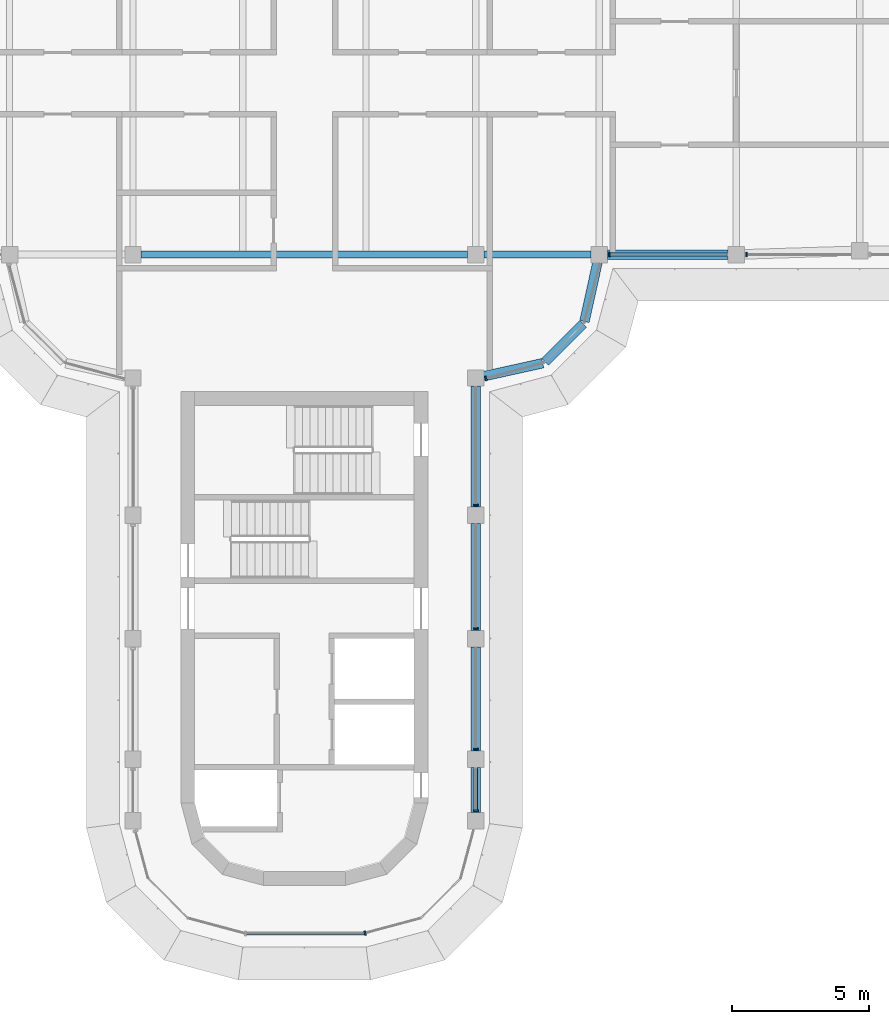
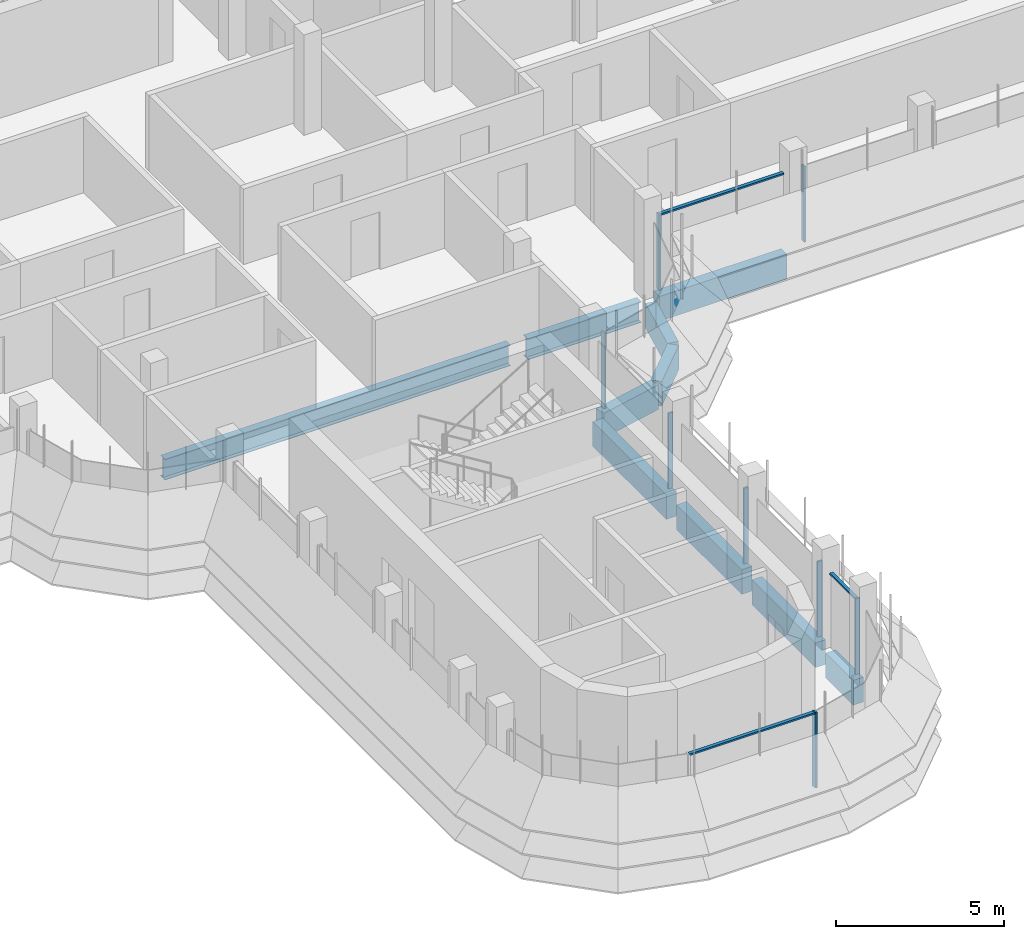
# One storey, part 4 of 20: 11 members, 10 beams, 5 elements without a shape of their own.
"""IFC4 building model written with IfcOpenShell, lengths in metres."""

import ifcopenshell
import ifcopenshell.guid

model = None  # the IFC model being written
_history = None  # IfcOwnerHistory: only IFC2X3 demands one
_inside = {}  # id of a spatial element -> (the spatial element, [elements in it])
_under = {}  # id of a project, library or spatial element -> (it, [spatial elements below it])
_declared = {}  # id of a project -> (the project, [libraries it declares])
_typed = {}  # id of a type object -> (the type object, [elements of that type])
_made_of = {}  # id of a material, layer set ... -> (it, [elements and type objects made of it])


def new_model(schema):
    """Start an empty IFC model of exactly this schema.

    Asked for "IFC4X3", IfcOpenShell would pick the latest addendum, in which some entities
    have other attributes; the version numbers below select the first issue.
    IFC2X3 requires an IfcOwnerHistory on every rooted entity: one is made here for all.
    """
    global model, _history
    if schema == "IFC4X3":
        model = ifcopenshell.file(schema_version=(4, 3, 0, 0))
    else:
        model = ifcopenshell.file(schema=schema)
    _inside.clear()
    _under.clear()
    _declared.clear()
    _typed.clear()
    _made_of.clear()
    _history = None
    if model.schema == "IFC2X3":
        org = make("IfcOrganization", Name="unknown")
        user = make(
            "IfcPersonAndOrganization",
            ThePerson=make("IfcPerson", FamilyName="unknown"),
            TheOrganization=org,
        )
        app = make(
            "IfcApplication",
            ApplicationDeveloper=org,
            Version="unknown",
            ApplicationFullName="unknown",
            ApplicationIdentifier="unknown",
        )
        _history = make(
            "IfcOwnerHistory",
            OwningUser=user,
            OwningApplication=app,
            ChangeAction="ADDED",
            CreationDate=0,
        )
    return model


def make(cls, **values):
    """One entity of the class cls with the attributes given. An attribute that is None is left unset."""
    return model.create_entity(
        cls, **{name: value for name, value in values.items() if value is not None}
    )


def rooted(cls, **values):
    """An entity with a GlobalId (a new one), such as an element, a storey or a relation."""
    return make(cls, GlobalId=ifcopenshell.guid.new(), OwnerHistory=_history, **values)


def si_unit(unit_type, name, prefix=None):
    """IfcSIUnit, for example si_unit("LENGTHUNIT", "METRE", prefix="MILLI")."""
    return make("IfcSIUnit", UnitType=unit_type, Prefix=prefix, Name=name)


def assignment(units):
    """IfcUnitAssignment: the units of a project."""
    return None if units is None else make("IfcUnitAssignment", Units=units)


def point(xyz):
    """IfcCartesianPoint."""
    return None if xyz is None else make("IfcCartesianPoint", Coordinates=xyz)


def direction(xyz):
    """IfcDirection."""
    return None if xyz is None else make("IfcDirection", DirectionRatios=xyz)


def frame(location, z_axis=None, x_axis=None):
    """IfcAxis2Placement3D, a coordinate frame: its origin and axes. An axis left out is left unset."""
    return make(
        "IfcAxis2Placement3D",
        Location=point(location),
        Axis=direction(z_axis),
        RefDirection=direction(x_axis),
    )


def frame_2d(location, x_axis=None):
    """IfcAxis2Placement2D, a coordinate frame in the plane: its origin and x axis."""
    return make(
        "IfcAxis2Placement2D", Location=point(location), RefDirection=direction(x_axis)
    )


def origin():
    """The frame at (0, 0, 0) with its axes left unset."""
    return frame((0.0, 0.0, 0.0))


def origin_2d():
    """The frame at (0, 0) in the plane with its x axis left unset."""
    return frame_2d((0.0, 0.0))


def place(relative_to, where):
    """IfcLocalPlacement: puts the frame where relative to a parent placement (None: the world)."""
    return make(
        "IfcLocalPlacement", PlacementRelTo=relative_to, RelativePlacement=where
    )


def context(
    kind, dimensions, precision=None, world=None, true_north=None, identifier=None
):
    """IfcGeometricRepresentationContext, for example the 3D "Model" context."""
    return make(
        "IfcGeometricRepresentationContext",
        ContextIdentifier=identifier,
        ContextType=kind,
        CoordinateSpaceDimension=dimensions,
        Precision=precision,
        WorldCoordinateSystem=world,
        TrueNorth=true_north,
    )


def subcontext(parent, identifier, kind, view, scale=None):
    """IfcGeometricRepresentationSubContext, for example "Body" below "Model"."""
    return make(
        "IfcGeometricRepresentationSubContext",
        ContextIdentifier=identifier,
        ContextType=kind,
        ParentContext=parent,
        TargetScale=scale,
        TargetView=view,
    )


def project(units=None, contexts=None):
    """IfcProject with its units and contexts."""
    return rooted(
        "IfcProject",
        Name="project",
        RepresentationContexts=contexts,
        UnitsInContext=assignment(units),
    )


def spatial(cls, under=None, at=None, **own):
    """A site, building, storey or space (cls), placed at a placement, below another one or the project."""
    s = rooted(cls, ObjectPlacement=at, **own)
    if under is not None:
        _under.setdefault(under.id(), (under, []))[1].append(s)
    return s


def polyline(points):
    """IfcPolyline through the points."""
    return make("IfcPolyline", Points=[point(p) for p in points])


def profile(cls, at=None, kind="AREA", **sizes):
    """A parametric profile (cls). Its sizes go by their IFC names, for example OverallWidth=200.0."""
    return make(cls, ProfileType=kind, Position=at, **sizes)


def rectangle(**sizes):
    """IfcRectangleProfileDef."""
    return profile("IfcRectangleProfileDef", **sizes)


def i_section(**sizes):
    """IfcIShapeProfileDef."""
    return profile("IfcIShapeProfileDef", **sizes)


def outline(outer, holes=None, kind="AREA"):
    """IfcArbitraryClosedProfileDef: a profile drawn as a closed curve; with holes, ...WithVoids."""
    if holes is None:
        return make("IfcArbitraryClosedProfileDef", ProfileType=kind, OuterCurve=outer)
    return make(
        "IfcArbitraryProfileDefWithVoids",
        ProfileType=kind,
        OuterCurve=outer,
        InnerCurves=holes,
    )


def extrude(swept, where, along, depth):
    """IfcExtrudedAreaSolid: the profile swept, set in the frame where, extruded along a direction by depth."""
    return make(
        "IfcExtrudedAreaSolid",
        SweptArea=swept,
        Position=where,
        ExtrudedDirection=direction(along),
        Depth=depth,
    )


def shape(context_of_items, identifier, shape_type, items):
    """IfcShapeRepresentation: the items that make up one representation, for example the "Body"."""
    return make(
        "IfcShapeRepresentation",
        ContextOfItems=context_of_items,
        RepresentationIdentifier=identifier,
        RepresentationType=shape_type,
        Items=items,
    )


def source(mapping_origin, context_of_items, identifier, shape_type, items):
    """IfcRepresentationMap: a shape defined once, which mapped items show again and again."""
    return make(
        "IfcRepresentationMap",
        MappingOrigin=mapping_origin,
        MappedRepresentation=shape(context_of_items, identifier, shape_type, items),
    )


def transform(
    local_origin,
    x_axis=None,
    y_axis=None,
    z_axis=None,
    scale=None,
    scale2=None,
    scale3=None,
    uniform=True,
):
    """IfcCartesianTransformationOperator3D, or its non-uniform kind. x_axis, y_axis, z_axis: its Axis1, 2, 3."""
    if uniform:
        return make(
            "IfcCartesianTransformationOperator3D",
            Axis1=direction(x_axis),
            Axis2=direction(y_axis),
            LocalOrigin=point(local_origin),
            Scale=scale,
            Axis3=direction(z_axis),
        )
    return make(
        "IfcCartesianTransformationOperator3DnonUniform",
        Axis1=direction(x_axis),
        Axis2=direction(y_axis),
        LocalOrigin=point(local_origin),
        Scale=scale,
        Axis3=direction(z_axis),
        Scale2=scale2,
        Scale3=scale3,
    )


def mapped(mapping_source, mapping_target):
    """IfcMappedItem: shows the shape of a source again, moved by a transform."""
    return make(
        "IfcMappedItem", MappingSource=mapping_source, MappingTarget=mapping_target
    )


def material(Name=None, Category=None):
    """IfcMaterial."""
    return make("IfcMaterial", Name=Name, Category=Category)


def material_profile(
    of_material, cross_section, Name=None, Category=None, Priority=None
):
    """IfcMaterialProfile: a cross section and its material."""
    return make(
        "IfcMaterialProfile",
        Name=Name,
        Material=of_material,
        Profile=cross_section,
        Priority=Priority,
        Category=Category,
    )


def profile_set(profiles, Name=None, composite=None):
    """IfcMaterialProfileSet."""
    return make(
        "IfcMaterialProfileSet",
        Name=Name,
        MaterialProfiles=profiles,
        CompositeProfile=composite,
    )


def made_of(thing, what):
    """Note that an element or type object is made of a material, layer set ...; save() writes the relation."""
    if what is not None:
        _made_of.setdefault(what.id(), (what, []))[1].append(thing)
    return thing


def type_object(cls, material=None, **own):
    """A type object (cls), such as IfcWallType, which elements share."""
    return made_of(rooted(cls, **own), material)


def element(
    cls,
    number,
    at=None,
    inside=None,
    cuts=None,
    type_object=None,
    material=None,
    context=None,
    identifier="Body",
    shape_type=None,
    held_by="IfcProductDefinitionShape",
    body=None,
    shapes=None,
    **own,
):
    """One element of the class cls, such as IfcWall. Its Tag is "e" and its number.

    at: its placement. inside: the storey or other place that contains it. cuts: it is an
    opening in that element (IfcRelVoidsElement). A single representation is given by context,
    identifier, shape_type and body (its items); several are given by shapes. held_by: the class
    of the entity that holds the representations. save() writes the other relations.
    """
    e = rooted(cls, Tag="e%d" % number, ObjectPlacement=at, **own)
    if body is not None:
        shapes = [shape(context, identifier, shape_type, body)]
    if shapes is not None:
        e.Representation = make(held_by, Representations=shapes)
    if inside is not None:
        _inside.setdefault(inside.id(), (inside, []))[1].append(e)
    if cuts is not None:
        rooted(
            "IfcRelVoidsElement", RelatingBuildingElement=cuts, RelatedOpeningElement=e
        )
    if type_object is not None:
        _typed.setdefault(type_object.id(), (type_object, []))[1].append(e)
    return made_of(e, material)


def aggregate(whole, parts):
    """IfcRelAggregates: a whole, such as a stair, and the parts it consists of."""
    return rooted("IfcRelAggregates", RelatingObject=whole, RelatedObjects=parts)


def save(model, path):
    """Write the relations noted so far, then the file.

    IfcRelAggregates (storeys below a building ...), IfcRelContainedInSpatialStructure (elements
    in a storey), IfcRelDefinesByType, IfcRelAssociatesMaterial and IfcRelDeclares: one each for
    every whole, place, type object, material and project.
    """
    for whole, parts in _under.values():
        aggregate(whole, parts)
    for where, things in _inside.values():
        rooted(
            "IfcRelContainedInSpatialStructure",
            RelatedElements=things,
            RelatingStructure=where,
        )
    for kind, things in _typed.values():
        rooted("IfcRelDefinesByType", RelatedObjects=things, RelatingType=kind)
    for what, things in _made_of.values():
        rooted("IfcRelAssociatesMaterial", RelatedObjects=things, RelatingMaterial=what)
    for by, libraries in _declared.values():
        rooted("IfcRelDeclares", RelatingContext=by, RelatedDefinitions=libraries)
    model.write(path)


model = new_model("IFC4")

# Units and contexts
model_context = context("Model", 3, precision=1e-05, world=origin(), true_north=direction((0.0, 1.0)))
body_context = subcontext(model_context, "Body", "Model", "MODEL_VIEW")
ifc_project = project(units=[si_unit("LENGTHUNIT", "METRE"), si_unit("AREAUNIT", "SQUARE_METRE"), si_unit("VOLUMEUNIT", "CUBIC_METRE"), si_unit("PLANEANGLEUNIT", "RADIAN"), si_unit("MASSUNIT", "GRAM", prefix="KILO")], contexts=[model_context])

# Site, building, storey
site_placement = place(None, origin())
site = spatial("IfcSite", under=ifc_project, at=site_placement, CompositionType="ELEMENT")
building_placement = place(site_placement, origin())
building = spatial("IfcBuilding", under=site, at=building_placement, Name="Zarbagh Exchange Tower", CompositionType="ELEMENT")
storey_placement = place(building_placement, frame((0.0, 0.0, 249.800048828125)))
storey = spatial("IfcBuildingStorey", under=building, at=storey_placement, Name="L61", CompositionType="ELEMENT", Elevation=249.800048828125)

# Beams
ifc_material_1 = material(Name="Steel ASTM A992 Gr 50", Category="steel")
ifc_material_profile_1 = material_profile(ifc_material_1, i_section(OverallWidth=0.2666015625, OverallDepth=0.7568359375, WebThickness=0.013916015625, FlangeThickness=0.019287109375, at=origin_2d()), Name="W30X108")
ifc_profile_set_1 = profile_set([ifc_material_profile_1], Name="Steel ASTM A992 Gr 50")
beam_type_1 = type_object("IfcBeamType", Name="Floor girder W30X108", PredefinedType="BEAM", material=ifc_profile_set_1)
beam_1_placement = place(storey_placement, frame((-5.949951171875, -6.25, -0.528564453125), z_axis=(1.0, 0.0, 0.0), x_axis=(0.0, 1.0, 0.0)))
element("IfcBeam", 1, at=beam_1_placement, inside=storey, type_object=beam_type_1, Name="Steel girder", PredefinedType="BEAM", context=body_context, shape_type="SweptSolid", body=[
    extrude(i_section(OverallWidth=0.2666015625, OverallDepth=0.7568359375, WebThickness=0.013916015625, FlangeThickness=0.019287109375, at=origin_2d()), origin(), (0.0, 0.0, 1.0), 11.89990234375),
])
beam_2_placement = place(storey_placement, frame((6.550048828125, -6.25, -0.528564453125), z_axis=(1.0, 0.0, 0.0), x_axis=(0.0, 1.0, 0.0)))
element("IfcBeam", 2, at=beam_2_placement, inside=storey, type_object=beam_type_1, Name="Steel girder", PredefinedType="BEAM", context=body_context, shape_type="SweptSolid", body=[
    extrude(i_section(OverallWidth=0.2666015625, OverallDepth=0.7568359375, WebThickness=0.013916015625, FlangeThickness=0.019287109375, at=origin_2d()), origin(), (0.0, 0.0, 1.0), 3.89990234375),
])
ifc_material_2 = material(Name="Concrete C40/50", Category="concrete")
ifc_material_profile_2 = material_profile(ifc_material_2, rectangle(XDim=0.35009765625, YDim=0.89990234375, at=origin_2d()), Name="RC spandrel beam 350 x 900 C40/50")
ifc_profile_set_2 = profile_set([ifc_material_profile_2], Name="Concrete C40/50")
beam_type_2 = type_object("IfcBeamType", Name="RC spandrel beam 350 x 900 C40/50", PredefinedType="SPANDREL", material=ifc_profile_set_2)
beam_3_placement = place(storey_placement, frame((15.449951171875, -6.25, -0.60009765625), z_axis=(-1.0, 0.0, 0.0), x_axis=(0.0, -1.0, 0.0)))
element("IfcBeam", 3, at=beam_3_placement, inside=storey, type_object=beam_type_2, Name="RC spandrel beam", PredefinedType="SPANDREL", context=body_context, shape_type="SweptSolid", body=[
    extrude(rectangle(XDim=0.35009765625, YDim=0.89990234375, at=origin_2d()), origin(), (0.0, 0.0, 1.0), 4.39990234375),
])
beam_4_placement = place(storey_placement, frame((10.685302734375, -6.54296875, -0.60009765625), z_axis=(-0.216025770228, -0.976387662047, 0.0), x_axis=(0.976387662047, -0.216025770228, 0.0)))
element("IfcBeam", 4, at=beam_4_placement, inside=storey, type_object=beam_type_2, Name="RC spandrel beam", PredefinedType="SPANDREL", context=body_context, shape_type="SweptSolid", body=[
    extrude(rectangle(XDim=0.35009765625, YDim=0.89990234375, at=origin_2d()), origin(), (0.0, 0.0, 1.0), 2.200439453125),
])
beam_5_placement = place(storey_placement, frame((10.16259765625, -8.77734375, -0.60009765625), z_axis=(-0.707106781187, -0.707106781187, 0.0), x_axis=(0.707106781187, -0.707106781187, 0.0)))
element("IfcBeam", 5, at=beam_5_placement, inside=storey, type_object=beam_type_2, Name="RC spandrel beam", PredefinedType="SPANDREL", context=body_context, shape_type="SweptSolid", body=[
    extrude(rectangle(XDim=0.35009765625, YDim=0.89990234375, at=origin_2d()), origin(), (0.0, 0.0, 1.0), 1.958984375),
])
beam_6_placement = place(storey_placement, frame((8.69140625, -10.2099609375, -0.60009765625), z_axis=(-0.976387662047, -0.216025770228, 0.0), x_axis=(0.216025770228, -0.976387662047, 0.0)))
element("IfcBeam", 6, at=beam_6_placement, inside=storey, type_object=beam_type_2, Name="RC spandrel beam", PredefinedType="SPANDREL", context=body_context, shape_type="SweptSolid", body=[
    extrude(rectangle(XDim=0.35009765625, YDim=0.89990234375, at=origin_2d()), origin(), (0.0, 0.0, 1.0), 2.200439453125),
])
beam_7_placement = place(storey_placement, frame((6.25, -11.050048828125, -0.60009765625), z_axis=(0.0, -1.0, 0.0), x_axis=(1.0, 0.0, 0.0)))
element("IfcBeam", 7, at=beam_7_placement, inside=storey, type_object=beam_type_2, Name="RC spandrel beam", PredefinedType="SPANDREL", context=body_context, shape_type="SweptSolid", body=[
    extrude(rectangle(XDim=0.35009765625, YDim=0.89990234375, at=origin_2d()), origin(), (0.0, 0.0, 1.0), 4.39990234375),
])
beam_8_placement = place(storey_placement, frame((6.25, -16.050048828125, -0.60009765625), z_axis=(0.0, -1.0, 0.0), x_axis=(1.0, 0.0, 0.0)))
element("IfcBeam", 8, at=beam_8_placement, inside=storey, type_object=beam_type_2, Name="RC spandrel beam", PredefinedType="SPANDREL", context=body_context, shape_type="SweptSolid", body=[
    extrude(rectangle(XDim=0.35009765625, YDim=0.89990234375, at=origin_2d()), origin(), (0.0, 0.0, 1.0), 3.89990234375),
])
beam_9_placement = place(storey_placement, frame((6.25, -20.550048828125, -0.60009765625), z_axis=(0.0, -1.0, 0.0), x_axis=(1.0, 0.0, 0.0)))
element("IfcBeam", 9, at=beam_9_placement, inside=storey, type_object=beam_type_2, Name="RC spandrel beam", PredefinedType="SPANDREL", context=body_context, shape_type="SweptSolid", body=[
    extrude(rectangle(XDim=0.35009765625, YDim=0.89990234375, at=origin_2d()), origin(), (0.0, 0.0, 1.0), 3.800048828125),
])
beam_10_placement = place(storey_placement, frame((6.25, -24.949951171875, -0.60009765625), z_axis=(0.0, -1.0, 0.0), x_axis=(1.0, 0.0, 0.0)))
element("IfcBeam", 10, at=beam_10_placement, inside=storey, type_object=beam_type_2, Name="RC spandrel beam", PredefinedType="SPANDREL", context=body_context, shape_type="SweptSolid", body=[
    extrude(rectangle(XDim=0.35009765625, YDim=0.89990234375, at=origin_2d()), origin(), (0.0, 0.0, 1.0), 1.650146484375),
])

# Curtain wall, member
ifc_material_3 = material(Name="Anodised aluminium frame and glazing", Category="aluminium")
curtain_wall_type = type_object("IfcCurtainWallType", Name="CWB Ribbon glazing, upper zones", PredefinedType="NOTDEFINED", material=ifc_material_3)
curtain_wall_1_placement = place(storey_placement, origin())
curtain_wall_1 = element("IfcCurtainWall", 11, at=curtain_wall_1_placement, inside=storey, type_object=curtain_wall_type, Name="CWB49 curtain wall", PredefinedType="NOTDEFINED")
ifc_material_4 = material(Name="Anodised aluminium frame", Category="aluminium")
member_type_1 = type_object("IfcMemberType", Name="MUB Mullion, anodised aluminium frame", PredefinedType="MULLION", material=ifc_material_4)
shared_shape_1 = source(origin(), body_context, "Body", "SweptSolid", [
    extrude(outline(polyline([(0.0, -0.080078125), (0.06005859375, -0.080078125), (0.06005859375, 0.080078125), (0.0, 0.080078125), (0.0, -0.080078125)])), origin(), (0.0, 0.0, 1.0), 2.75),
])
placement = place(storey_placement, origin())
member_1 = element("IfcMember", 12, at=placement, type_object=member_type_1, Name="CWB49 mullion 1.1", PredefinedType="MULLION", context=body_context, shape_type="MappedRepresentation", body=[
    mapped(shared_shape_1, transform((2.18408203125, -31.0, 0.0), x_axis=(0.965924289636, 0.258824779902, 0.0), y_axis=(-0.258824779902, 0.965924289636, 0.0), z_axis=(0.0, 0.0, 1.0))),
])
aggregate(curtain_wall_1, [member_1])

# Curtain wall, members
curtain_wall_2_placement = place(storey_placement, origin())
curtain_wall_2 = element("IfcCurtainWall", 13, at=curtain_wall_2_placement, inside=storey, type_object=curtain_wall_type, Name="CWB52 curtain wall", PredefinedType="NOTDEFINED")
member_2 = element("IfcMember", 14, at=placement, type_object=member_type_1, Name="CWB52 mullion 1.1", PredefinedType="MULLION", context=body_context, shape_type="MappedRepresentation", body=[
    mapped(shared_shape_1, transform((6.25, -26.56005859375, 0.0), x_axis=(0.0, 1.0, 0.0), y_axis=(-1.0, 0.0, 0.0), z_axis=(0.0, 0.0, 1.0))),
])
member_3 = element("IfcMember", 15, at=placement, type_object=member_type_1, Name="CWB52 mullion 2.1", PredefinedType="MULLION", context=body_context, shape_type="MappedRepresentation", body=[
    mapped(shared_shape_1, transform((6.25, -24.31005859375, 0.0), x_axis=(0.0, 1.0, 0.0), y_axis=(-1.0, 0.0, 0.0), z_axis=(0.0, 0.0, 1.0))),
])
member_4 = element("IfcMember", 16, at=placement, type_object=member_type_1, Name="CWB52 mullion 3.1", PredefinedType="MULLION", context=body_context, shape_type="MappedRepresentation", body=[
    mapped(shared_shape_1, transform((6.25, -19.909912109375, 0.0), x_axis=(0.0, 1.0, 0.0), y_axis=(-1.0, 0.0, 0.0), z_axis=(0.0, 0.0, 1.0))),
])
member_5 = element("IfcMember", 17, at=placement, type_object=member_type_1, Name="CWB52 mullion 4.1", PredefinedType="MULLION", context=body_context, shape_type="MappedRepresentation", body=[
    mapped(shared_shape_1, transform((6.25, -15.409912109375, 0.0), x_axis=(0.0, 1.0, 0.0), y_axis=(-1.0, 0.0, 0.0), z_axis=(0.0, 0.0, 1.0))),
])

# Curtain wall, member
curtain_wall_3_placement = place(storey_placement, origin())
curtain_wall_3 = element("IfcCurtainWall", 18, at=curtain_wall_3_placement, inside=storey, type_object=curtain_wall_type, Name="CWB05 curtain wall", PredefinedType="NOTDEFINED")
member_6 = element("IfcMember", 19, at=placement, type_object=member_type_1, Name="CWB05 mullion 1.1", PredefinedType="MULLION", context=body_context, shape_type="MappedRepresentation", body=[
    mapped(shared_shape_1, transform((6.590087890625, -10.775146484375, 0.0), x_axis=(0.965924289636, 0.258824779902, 0.0), y_axis=(-0.258824779902, 0.965924289636, 0.0), z_axis=(0.0, 0.0, 1.0))),
])
aggregate(curtain_wall_3, [member_6])

# Curtain wall, members
curtain_wall_4_placement = place(storey_placement, origin())
curtain_wall_4 = element("IfcCurtainWall", 20, at=curtain_wall_4_placement, inside=storey, type_object=curtain_wall_type, Name="CWB75 curtain wall", PredefinedType="NOTDEFINED")
member_7 = element("IfcMember", 21, at=placement, type_object=member_type_1, Name="CWB75 mullion 1.1", PredefinedType="MULLION", context=body_context, shape_type="MappedRepresentation", body=[
    mapped(shared_shape_1, transform((11.090087890625, -6.25, 0.0), x_axis=(1.0, 0.0, 0.0), y_axis=(0.0, 1.0, 0.0), z_axis=(0.0, 0.0, 1.0))),
])
member_8 = element("IfcMember", 22, at=placement, type_object=member_type_1, Name="CWB75 mullion 2.1", PredefinedType="MULLION", context=body_context, shape_type="MappedRepresentation", body=[
    mapped(shared_shape_1, transform((16.090087890625, -6.25, 0.0), x_axis=(1.0, 0.0, 0.0), y_axis=(0.0, 1.0, 0.0), z_axis=(0.0, 0.0, 1.0))),
])

# Curtain wall, member
curtain_wall_5_placement = place(storey_placement, origin())
curtain_wall_5 = element("IfcCurtainWall", 23, at=curtain_wall_5_placement, inside=storey, type_object=curtain_wall_type, Name="CWB57 curtain wall", PredefinedType="NOTDEFINED")
member_type_2 = type_object("IfcMemberType", Name="TRB Transom, anodised aluminium frame", PredefinedType="USERDEFINED", material=ifc_material_4)
shared_shape_2 = source(origin(), body_context, "Body", "SweptSolid", [
    extrude(outline(polyline([(-0.06005859375, -0.06005859375), (0.0, -0.06005859375), (0.0, 0.06005859375), (-0.06005859375, 0.06005859375), (-0.06005859375, -0.06005859375)])), origin(), (0.0, 0.0, 1.0), 4.308349609375),
])
member_9 = element("IfcMember", 24, at=placement, type_object=member_type_2, Name="CWB57 transom 1.1", ObjectType="TRANSOM", PredefinedType="USERDEFINED", context=body_context, shape_type="MappedRepresentation", body=[
    mapped(shared_shape_2, transform((-2.124267578125, -31.0, 2.75), x_axis=(0.0, 0.0, 1.0), y_axis=(0.0, -1.0, 0.0), z_axis=(1.0, 0.0, 0.0))),
])
aggregate(curtain_wall_5, [member_9])

# Member
shared_shape_3 = source(origin(), body_context, "Body", "SweptSolid", [
    extrude(outline(polyline([(-0.06005859375, -0.06005859375), (0.0, -0.06005859375), (0.0, 0.06005859375), (-0.06005859375, 0.06005859375), (-0.06005859375, -0.06005859375)])), origin(), (0.0, 0.0, 1.0), 1.510009765625),
])
member_10 = element("IfcMember", 25, at=placement, type_object=member_type_2, Name="CWB52 transom 1.1", ObjectType="TRANSOM", PredefinedType="USERDEFINED", context=body_context, shape_type="MappedRepresentation", body=[
    mapped(shared_shape_3, transform((6.25, -26.5, 2.75), x_axis=(0.0, 0.0, 1.0), y_axis=(1.0, 0.0, 0.0), z_axis=(0.0, 1.0, 0.0))),
])

aggregate(curtain_wall_2, [member_2, member_10, member_3, member_4, member_5])

shared_shape_4 = source(origin(), body_context, "Body", "SweptSolid", [
    extrude(outline(polyline([(-0.06005859375, -0.06005859375), (0.0, -0.06005859375), (0.0, 0.06005859375), (-0.06005859375, 0.06005859375), (-0.06005859375, -0.06005859375)])), origin(), (0.0, 0.0, 1.0), 4.260009765625),
])
member_11 = element("IfcMember", 26, at=placement, type_object=member_type_2, Name="CWB75 transom 1.1", ObjectType="TRANSOM", PredefinedType="USERDEFINED", context=body_context, shape_type="MappedRepresentation", body=[
    mapped(shared_shape_4, transform((11.150146484375, -6.25, 2.75), x_axis=(0.0, 0.0, 1.0), y_axis=(0.0, -1.0, 0.0), z_axis=(1.0, 0.0, 0.0))),
])

aggregate(curtain_wall_4, [member_7, member_11, member_8])

save(model, "model.ifc")
